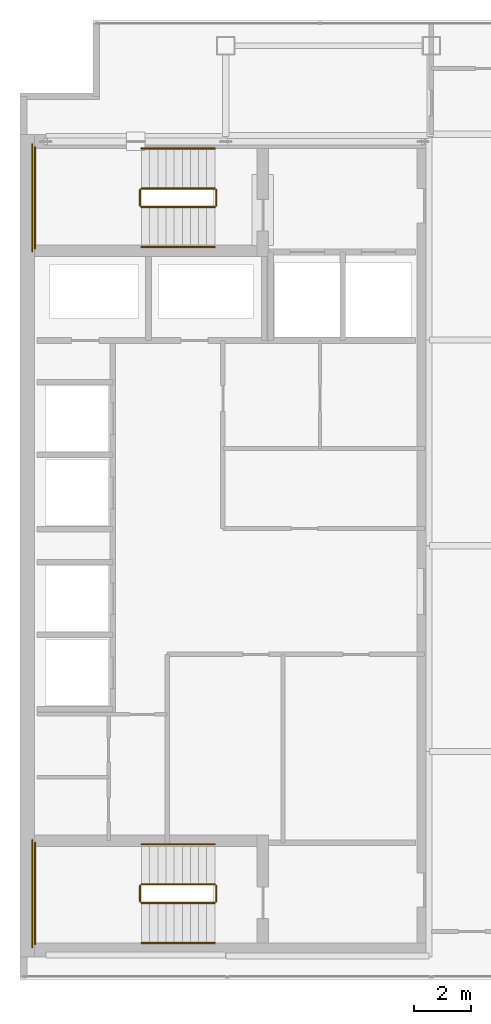
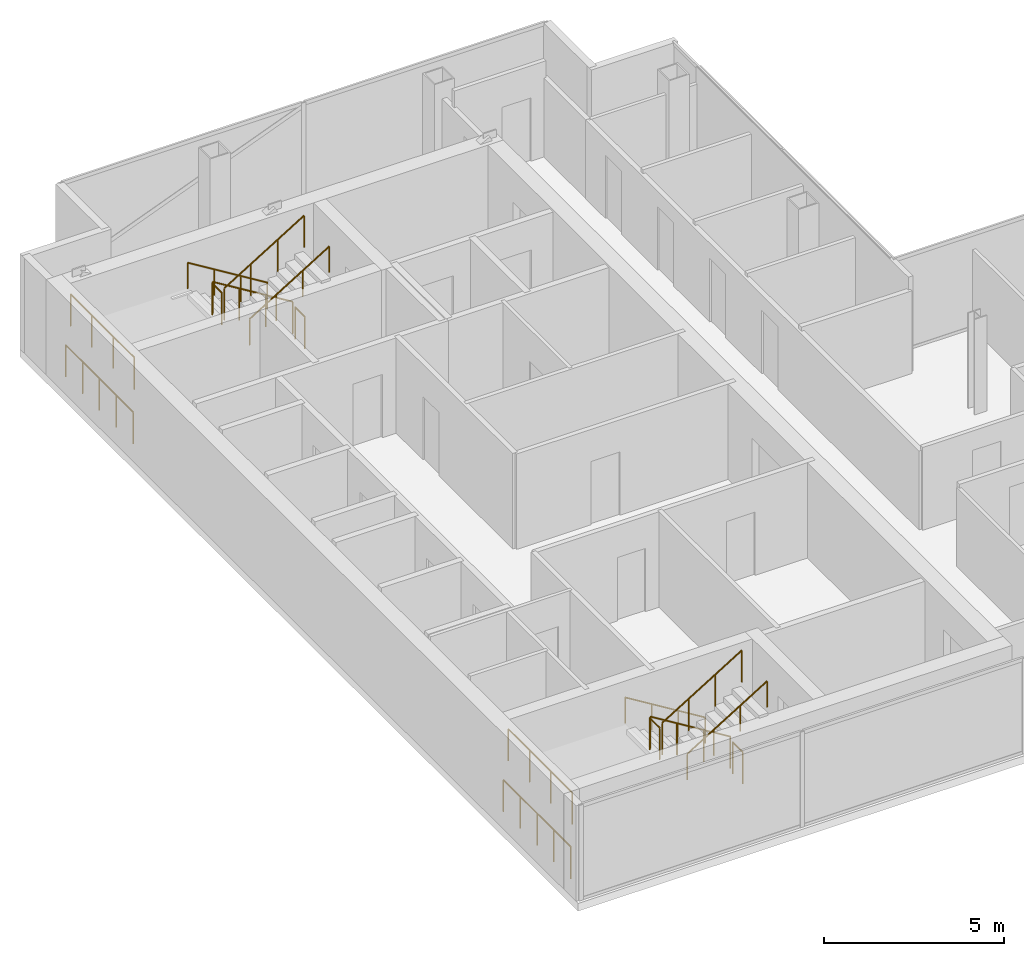
# One storey, part 23 of 23: 16 railings.
"""IFC4 building model written with IfcOpenShell, lengths in metres."""

from ifc_helpers import new_model, si_unit, direction, frame, origin, origin_2d, place, context, subcontext, project, spatial, circle, extrude, material, type_object, element, save


model = new_model("IFC4")

# Units and contexts
model_context = context("Model", 3, precision=1e-05, world=origin(), true_north=direction((0.0, 1.0)))
body_context = subcontext(model_context, "Body", "Model", "MODEL_VIEW")
ifc_project = project(units=[si_unit("LENGTHUNIT", "METRE"), si_unit("AREAUNIT", "SQUARE_METRE"), si_unit("VOLUMEUNIT", "CUBIC_METRE"), si_unit("PLANEANGLEUNIT", "RADIAN"), si_unit("MASSUNIT", "GRAM", prefix="KILO")], contexts=[model_context])

# Site, building, storey
site_placement = place(None, origin())
site = spatial("IfcSite", under=ifc_project, at=site_placement, CompositionType="ELEMENT")
building_placement = place(site_placement, origin())
building = spatial("IfcBuilding", under=site, at=building_placement, Name="Cobrela Telecom Tower", CompositionType="ELEMENT")
storey_placement = place(building_placement, frame((0.0, 0.0, 258.64990234375)))
storey = spatial("IfcBuildingStorey", under=building, at=storey_placement, Name="L67", CompositionType="ELEMENT", Elevation=258.64990234375)

# Railings
ifc_material = material(Name="Steel ASTM A36", Category="steel")
railing_type_1 = type_object("IfcRailingType", Name="RAIL-GUARD-1100", PredefinedType="GUARDRAIL", material=ifc_material)
railing_1_placement = place(storey_placement, frame((6.820068359375, 34.10009765625, 0.175048828125)))
element("IfcRailing", 1, at=railing_1_placement, inside=storey, type_object=railing_type_1, Name="L67 ST1 stair guard 1", PredefinedType="GUARDRAIL", context=body_context, shape_type="SweptSolid", body=[
    extrude(circle(Radius=0.02392578125, at=origin_2d()), frame((0.0, 0.0, 1.076171875), z_axis=(-0.852195335862, 0.0, 0.523223766217), x_axis=(0.0, -1.0, 0.0)), (0.0, 0.0, 1.0), 3.010009765625),
    extrude(circle(Radius=0.02099609375, at=origin_2d()), origin(), (0.0, 0.0, 1.0), 1.052001953125),
    extrude(circle(Radius=0.02099609375, at=origin_2d()), frame((-0.85498046875, 0.0, 0.52490234375)), (0.0, 0.0, 1.0), 1.052001953125),
    extrude(circle(Radius=0.02099609375, at=origin_2d()), frame((-1.710205078125, 0.0, 1.050048828125)), (0.0, 0.0, 1.0), 1.052001953125),
    extrude(circle(Radius=0.02099609375, at=origin_2d()), frame((-2.565185546875, 0.0, 1.574951171875)), (0.0, 0.0, 1.0), 1.052001953125),
])
railing_2_placement = place(storey_placement, frame((4.205078125, 34.050048828125, 1.75)))
element("IfcRailing", 2, at=railing_2_placement, inside=storey, type_object=railing_type_1, Name="L67 ST1 stair guard 2", PredefinedType="GUARDRAIL", context=body_context, shape_type="SweptSolid", body=[
    extrude(circle(Radius=0.02392578125, at=origin_2d()), frame((0.0, 0.0, 1.076171875), z_axis=(0.0, -1.0, 0.0), x_axis=(1.0, 0.0, 0.0)), (0.0, 0.0, 1.0), 0.550048828125),
    extrude(circle(Radius=0.02099609375, at=origin_2d()), origin(), (0.0, 0.0, 1.0), 1.052001953125),
    extrude(circle(Radius=0.02099609375, at=origin_2d()), frame((0.0, -0.550048828125, 0.0)), (0.0, 0.0, 1.0), 1.052001953125),
])
railing_3_placement = place(storey_placement, frame((0.530029296875, 35.550048828125, 1.75)))
element("IfcRailing", 3, at=railing_3_placement, inside=storey, type_object=railing_type_1, Name="L67 ST1 stair guard 3", PredefinedType="GUARDRAIL", context=body_context, shape_type="SweptSolid", body=[
    extrude(circle(Radius=0.02392578125, at=origin_2d()), frame((0.0, 0.0, 1.076171875), z_axis=(0.0, -1.0, 0.0), x_axis=(1.0, 0.0, 0.0)), (0.0, 0.0, 1.0), 3.550048828125),
    extrude(circle(Radius=0.02099609375, at=origin_2d()), origin(), (0.0, 0.0, 1.0), 1.052001953125),
    extrude(circle(Radius=0.02099609375, at=origin_2d()), frame((0.0, -1.183349609375, 0.0)), (0.0, 0.0, 1.0), 1.052001953125),
    extrude(circle(Radius=0.02099609375, at=origin_2d()), frame((0.0, -2.36669921875, 0.0)), (0.0, 0.0, 1.0), 1.052001953125),
    extrude(circle(Radius=0.02099609375, at=origin_2d()), frame((0.0, -3.550048828125, 0.0)), (0.0, 0.0, 1.0), 1.052001953125),
])
railing_4_placement = place(storey_placement, frame((4.2548828125, 33.449951171875, 1.925048828125)))
element("IfcRailing", 4, at=railing_4_placement, inside=storey, type_object=railing_type_1, Name="L67 ST1 stair guard 4", PredefinedType="GUARDRAIL", context=body_context, shape_type="SweptSolid", body=[
    extrude(circle(Radius=0.02392578125, at=origin_2d()), frame((0.0, 0.0, 1.076171875), z_axis=(0.852195335862, 0.0, 0.523223766217), x_axis=(0.0, 1.0, 0.0)), (0.0, 0.0, 1.0), 3.010009765625),
    extrude(circle(Radius=0.02099609375, at=origin_2d()), origin(), (0.0, 0.0, 1.0), 1.052001953125),
    extrude(circle(Radius=0.02099609375, at=origin_2d()), frame((0.85498046875, 0.0, 0.52490234375)), (0.0, 0.0, 1.0), 1.052001953125),
    extrude(circle(Radius=0.02099609375, at=origin_2d()), frame((1.710205078125, 0.0, 1.050048828125)), (0.0, 0.0, 1.0), 1.052001953125),
    extrude(circle(Radius=0.02099609375, at=origin_2d()), frame((2.565185546875, 0.0, 1.574951171875)), (0.0, 0.0, 1.0), 1.052001953125),
])
railing_5_placement = place(storey_placement, frame((6.8701171875, 34.050048828125, 0.0)))
element("IfcRailing", 5, at=railing_5_placement, inside=storey, type_object=railing_type_1, Name="L67 ST1 stair guard 5", PredefinedType="GUARDRAIL", context=body_context, shape_type="SweptSolid", body=[
    extrude(circle(Radius=0.02392578125, at=origin_2d()), frame((0.0, 0.0, 1.076171875), z_axis=(0.0, -1.0, 0.0), x_axis=(1.0, 0.0, 0.0)), (0.0, 0.0, 1.0), 0.550048828125),
    extrude(circle(Radius=0.02099609375, at=origin_2d()), origin(), (0.0, 0.0, 1.0), 1.052001953125),
    extrude(circle(Radius=0.02099609375, at=origin_2d()), frame((0.0, -0.550048828125, 0.0)), (0.0, 0.0, 1.0), 1.052001953125),
])
railing_6_placement = place(storey_placement, frame((0.429931640625, 35.64990234375, 0.0)))
element("IfcRailing", 6, at=railing_6_placement, inside=storey, type_object=railing_type_1, Name="L67 ST1 stair guard 6", PredefinedType="GUARDRAIL", context=body_context, shape_type="SweptSolid", body=[
    extrude(circle(Radius=0.02392578125, at=origin_2d()), frame((0.0, 0.0, 1.076171875), z_axis=(0.0, -1.0, 0.0), x_axis=(1.0, 0.0, 0.0)), (0.0, 0.0, 1.0), 3.75),
    extrude(circle(Radius=0.02099609375, at=origin_2d()), origin(), (0.0, 0.0, 1.0), 1.052001953125),
    extrude(circle(Radius=0.02099609375, at=origin_2d()), frame((0.0, -0.9375, 0.0)), (0.0, 0.0, 1.0), 1.052001953125),
    extrude(circle(Radius=0.02099609375, at=origin_2d()), frame((0.0, -1.875, 0.0)), (0.0, 0.0, 1.0), 1.052001953125),
    extrude(circle(Radius=0.02099609375, at=origin_2d()), frame((0.0, -2.8125, 0.0)), (0.0, 0.0, 1.0), 1.052001953125),
    extrude(circle(Radius=0.02099609375, at=origin_2d()), frame((0.0, -3.75, 0.0)), (0.0, 0.0, 1.0), 1.052001953125),
])
railing_7_placement = place(storey_placement, frame((6.820068359375, 9.75, 0.175048828125)))
element("IfcRailing", 7, at=railing_7_placement, inside=storey, type_object=railing_type_1, Name="L67 ST2 stair guard 1", PredefinedType="GUARDRAIL", context=body_context, shape_type="SweptSolid", body=[
    extrude(circle(Radius=0.02392578125, at=origin_2d()), frame((0.0, 0.0, 1.076171875), z_axis=(-0.852195335862, 0.0, 0.523223766217), x_axis=(0.0, -1.0, 0.0)), (0.0, 0.0, 1.0), 3.010009765625),
    extrude(circle(Radius=0.02099609375, at=origin_2d()), origin(), (0.0, 0.0, 1.0), 1.052001953125),
    extrude(circle(Radius=0.02099609375, at=origin_2d()), frame((-0.85498046875, 0.0, 0.52490234375)), (0.0, 0.0, 1.0), 1.052001953125),
    extrude(circle(Radius=0.02099609375, at=origin_2d()), frame((-1.710205078125, 0.0, 1.050048828125)), (0.0, 0.0, 1.0), 1.052001953125),
    extrude(circle(Radius=0.02099609375, at=origin_2d()), frame((-2.565185546875, 0.0, 1.574951171875)), (0.0, 0.0, 1.0), 1.052001953125),
])
railing_8_placement = place(storey_placement, frame((4.205078125, 9.699951171875, 1.75)))
element("IfcRailing", 8, at=railing_8_placement, inside=storey, type_object=railing_type_1, Name="L67 ST2 stair guard 2", PredefinedType="GUARDRAIL", context=body_context, shape_type="SweptSolid", body=[
    extrude(circle(Radius=0.02392578125, at=origin_2d()), frame((0.0, 0.0, 1.076171875), z_axis=(0.0, -1.0, 0.0), x_axis=(1.0, 0.0, 0.0)), (0.0, 0.0, 1.0), 0.550048828125),
    extrude(circle(Radius=0.02099609375, at=origin_2d()), origin(), (0.0, 0.0, 1.0), 1.052001953125),
    extrude(circle(Radius=0.02099609375, at=origin_2d()), frame((0.0, -0.550048828125, 0.0)), (0.0, 0.0, 1.0), 1.052001953125),
])
railing_9_placement = place(storey_placement, frame((0.530029296875, 11.199951171875, 1.75)))
element("IfcRailing", 9, at=railing_9_placement, inside=storey, type_object=railing_type_1, Name="L67 ST2 stair guard 3", PredefinedType="GUARDRAIL", context=body_context, shape_type="SweptSolid", body=[
    extrude(circle(Radius=0.02392578125, at=origin_2d()), frame((0.0, 0.0, 1.076171875), z_axis=(0.0, -1.0, 0.0), x_axis=(1.0, 0.0, 0.0)), (0.0, 0.0, 1.0), 3.550048828125),
    extrude(circle(Radius=0.02099609375, at=origin_2d()), origin(), (0.0, 0.0, 1.0), 1.052001953125),
    extrude(circle(Radius=0.02099609375, at=origin_2d()), frame((0.0, -1.183349609375, 0.0)), (0.0, 0.0, 1.0), 1.052001953125),
    extrude(circle(Radius=0.02099609375, at=origin_2d()), frame((0.0, -2.36669921875, 0.0)), (0.0, 0.0, 1.0), 1.052001953125),
    extrude(circle(Radius=0.02099609375, at=origin_2d()), frame((0.0, -3.550048828125, 0.0)), (0.0, 0.0, 1.0), 1.052001953125),
])
railing_10_placement = place(storey_placement, frame((4.2548828125, 9.10009765625, 1.925048828125)))
element("IfcRailing", 10, at=railing_10_placement, inside=storey, type_object=railing_type_1, Name="L67 ST2 stair guard 4", PredefinedType="GUARDRAIL", context=body_context, shape_type="SweptSolid", body=[
    extrude(circle(Radius=0.02392578125, at=origin_2d()), frame((0.0, 0.0, 1.076171875), z_axis=(0.852195335862, 0.0, 0.523223766217), x_axis=(0.0, 1.0, 0.0)), (0.0, 0.0, 1.0), 3.010009765625),
    extrude(circle(Radius=0.02099609375, at=origin_2d()), origin(), (0.0, 0.0, 1.0), 1.052001953125),
    extrude(circle(Radius=0.02099609375, at=origin_2d()), frame((0.85498046875, 0.0, 0.52490234375)), (0.0, 0.0, 1.0), 1.052001953125),
    extrude(circle(Radius=0.02099609375, at=origin_2d()), frame((1.710205078125, 0.0, 1.050048828125)), (0.0, 0.0, 1.0), 1.052001953125),
    extrude(circle(Radius=0.02099609375, at=origin_2d()), frame((2.565185546875, 0.0, 1.574951171875)), (0.0, 0.0, 1.0), 1.052001953125),
])
railing_11_placement = place(storey_placement, frame((6.8701171875, 9.699951171875, 0.0)))
element("IfcRailing", 11, at=railing_11_placement, inside=storey, type_object=railing_type_1, Name="L67 ST2 stair guard 5", PredefinedType="GUARDRAIL", context=body_context, shape_type="SweptSolid", body=[
    extrude(circle(Radius=0.02392578125, at=origin_2d()), frame((0.0, 0.0, 1.076171875), z_axis=(0.0, -1.0, 0.0), x_axis=(1.0, 0.0, 0.0)), (0.0, 0.0, 1.0), 0.550048828125),
    extrude(circle(Radius=0.02099609375, at=origin_2d()), origin(), (0.0, 0.0, 1.0), 1.052001953125),
    extrude(circle(Radius=0.02099609375, at=origin_2d()), frame((0.0, -0.550048828125, 0.0)), (0.0, 0.0, 1.0), 1.052001953125),
])
railing_12_placement = place(storey_placement, frame((0.429931640625, 11.300048828125, 0.0)))
element("IfcRailing", 12, at=railing_12_placement, inside=storey, type_object=railing_type_1, Name="L67 ST2 stair guard 6", PredefinedType="GUARDRAIL", context=body_context, shape_type="SweptSolid", body=[
    extrude(circle(Radius=0.02392578125, at=origin_2d()), frame((0.0, 0.0, 1.076171875), z_axis=(0.0, -1.0, 0.0), x_axis=(1.0, 0.0, 0.0)), (0.0, 0.0, 1.0), 3.75),
    extrude(circle(Radius=0.02099609375, at=origin_2d()), origin(), (0.0, 0.0, 1.0), 1.052001953125),
    extrude(circle(Radius=0.02099609375, at=origin_2d()), frame((0.0, -0.9375, 0.0)), (0.0, 0.0, 1.0), 1.052001953125),
    extrude(circle(Radius=0.02099609375, at=origin_2d()), frame((0.0, -1.875, 0.0)), (0.0, 0.0, 1.0), 1.052001953125),
    extrude(circle(Radius=0.02099609375, at=origin_2d()), frame((0.0, -2.8125, 0.0)), (0.0, 0.0, 1.0), 1.052001953125),
    extrude(circle(Radius=0.02099609375, at=origin_2d()), frame((0.0, -3.75, 0.0)), (0.0, 0.0, 1.0), 1.052001953125),
])
railing_type_2 = type_object("IfcRailingType", Name="RAIL-HAND-920", PredefinedType="HANDRAIL", material=ifc_material)
railing_13_placement = place(storey_placement, frame((6.820068359375, 35.5, 0.175048828125)))
element("IfcRailing", 13, at=railing_13_placement, inside=storey, type_object=railing_type_2, Name="L67 ST1 stair handrail 1", PredefinedType="HANDRAIL", context=body_context, shape_type="SweptSolid", body=[
    extrude(circle(Radius=0.02392578125, at=origin_2d()), frame((0.0, 0.0, 0.8759765625), z_axis=(-0.852195335862, 0.0, 0.523223766217), x_axis=(0.0, -1.0, 0.0)), (0.0, 0.0, 1.0), 3.010009765625),
    extrude(circle(Radius=0.02099609375, at=origin_2d()), origin(), (0.0, 0.0, 1.0), 0.851806640625),
    extrude(circle(Radius=0.02099609375, at=origin_2d()), frame((-0.85498046875, 0.0, 0.52490234375)), (0.0, 0.0, 1.0), 0.851806640625),
    extrude(circle(Radius=0.02099609375, at=origin_2d()), frame((-1.710205078125, 0.0, 1.050048828125)), (0.0, 0.0, 1.0), 0.851806640625),
    extrude(circle(Radius=0.02099609375, at=origin_2d()), frame((-2.565185546875, 0.0, 1.574951171875)), (0.0, 0.0, 1.0), 0.851806640625),
])
railing_14_placement = place(storey_placement, frame((4.2548828125, 32.050048828125, 1.925048828125)))
element("IfcRailing", 14, at=railing_14_placement, inside=storey, type_object=railing_type_2, Name="L67 ST1 stair handrail 2", PredefinedType="HANDRAIL", context=body_context, shape_type="SweptSolid", body=[
    extrude(circle(Radius=0.02392578125, at=origin_2d()), frame((0.0, 0.0, 0.8759765625), z_axis=(0.852195335862, 0.0, 0.523223766217), x_axis=(0.0, 1.0, 0.0)), (0.0, 0.0, 1.0), 3.010009765625),
    extrude(circle(Radius=0.02099609375, at=origin_2d()), origin(), (0.0, 0.0, 1.0), 0.851806640625),
    extrude(circle(Radius=0.02099609375, at=origin_2d()), frame((0.85498046875, 0.0, 0.52490234375)), (0.0, 0.0, 1.0), 0.851806640625),
    extrude(circle(Radius=0.02099609375, at=origin_2d()), frame((1.710205078125, 0.0, 1.050048828125)), (0.0, 0.0, 1.0), 0.851806640625),
    extrude(circle(Radius=0.02099609375, at=origin_2d()), frame((2.565185546875, 0.0, 1.574951171875)), (0.0, 0.0, 1.0), 0.851806640625),
])
railing_15_placement = place(storey_placement, frame((6.820068359375, 11.14990234375, 0.175048828125)))
element("IfcRailing", 15, at=railing_15_placement, inside=storey, type_object=railing_type_2, Name="L67 ST2 stair handrail 1", PredefinedType="HANDRAIL", context=body_context, shape_type="SweptSolid", body=[
    extrude(circle(Radius=0.02392578125, at=origin_2d()), frame((0.0, 0.0, 0.8759765625), z_axis=(-0.852195335862, 0.0, 0.523223766217), x_axis=(0.0, -1.0, 0.0)), (0.0, 0.0, 1.0), 3.010009765625),
    extrude(circle(Radius=0.02099609375, at=origin_2d()), origin(), (0.0, 0.0, 1.0), 0.851806640625),
    extrude(circle(Radius=0.02099609375, at=origin_2d()), frame((-0.85498046875, 0.0, 0.52490234375)), (0.0, 0.0, 1.0), 0.851806640625),
    extrude(circle(Radius=0.02099609375, at=origin_2d()), frame((-1.710205078125, 0.0, 1.050048828125)), (0.0, 0.0, 1.0), 0.851806640625),
    extrude(circle(Radius=0.02099609375, at=origin_2d()), frame((-2.565185546875, 0.0, 1.574951171875)), (0.0, 0.0, 1.0), 0.851806640625),
])
railing_16_placement = place(storey_placement, frame((4.2548828125, 7.699951171875, 1.925048828125)))
element("IfcRailing", 16, at=railing_16_placement, inside=storey, type_object=railing_type_2, Name="L67 ST2 stair handrail 2", PredefinedType="HANDRAIL", context=body_context, shape_type="SweptSolid", body=[
    extrude(circle(Radius=0.02392578125, at=origin_2d()), frame((0.0, 0.0, 0.8759765625), z_axis=(0.852195335862, 0.0, 0.523223766217), x_axis=(0.0, 1.0, 0.0)), (0.0, 0.0, 1.0), 3.010009765625),
    extrude(circle(Radius=0.02099609375, at=origin_2d()), origin(), (0.0, 0.0, 1.0), 0.851806640625),
    extrude(circle(Radius=0.02099609375, at=origin_2d()), frame((0.85498046875, 0.0, 0.52490234375)), (0.0, 0.0, 1.0), 0.851806640625),
    extrude(circle(Radius=0.02099609375, at=origin_2d()), frame((1.710205078125, 0.0, 1.050048828125)), (0.0, 0.0, 1.0), 0.851806640625),
    extrude(circle(Radius=0.02099609375, at=origin_2d()), frame((2.565185546875, 0.0, 1.574951171875)), (0.0, 0.0, 1.0), 0.851806640625),
])

save(model, "model.ifc")
